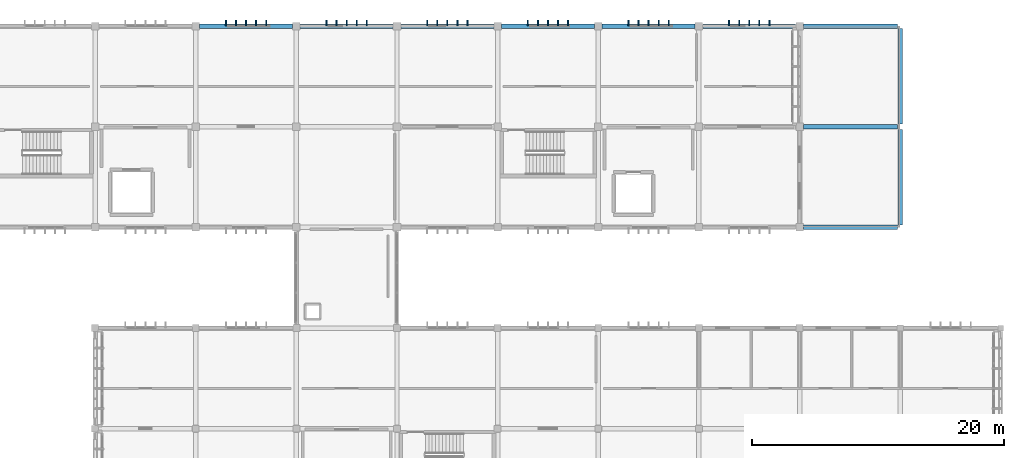
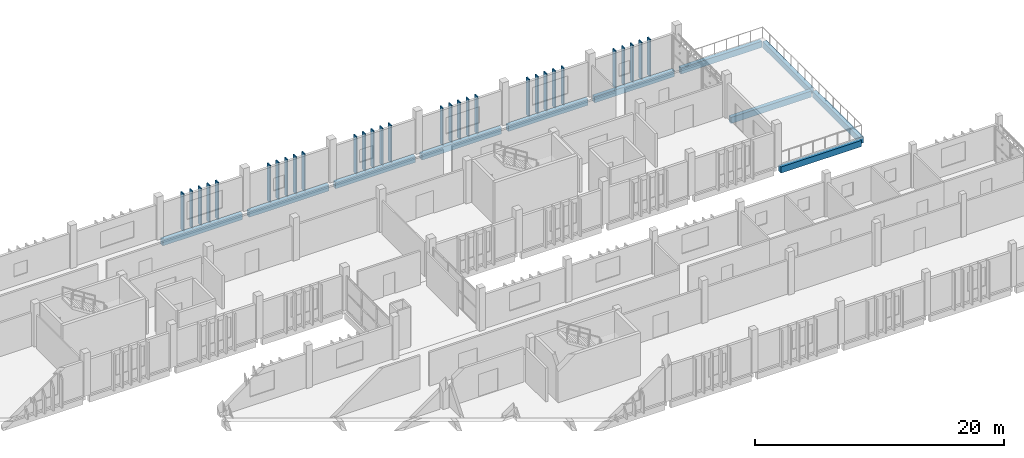
# One storey, part 26 of 48: 30 members, 11 beams.
"""IFC4 building model written with IfcOpenShell, lengths in metres."""

from ifc_helpers import new_model, si_unit, direction, frame, origin, origin_2d, place, context, subcontext, project, spatial, rectangle, extrude, material, material_profile, profile_set, type_object, element, save


model = new_model("IFC4")

# Units and contexts
model_context = context("Model", 3, precision=1e-05, world=origin(), true_north=direction((0.0, 1.0)))
body_context = subcontext(model_context, "Body", "Model", "MODEL_VIEW")
ifc_project = project(units=[si_unit("LENGTHUNIT", "METRE"), si_unit("AREAUNIT", "SQUARE_METRE"), si_unit("VOLUMEUNIT", "CUBIC_METRE"), si_unit("PLANEANGLEUNIT", "RADIAN"), si_unit("MASSUNIT", "GRAM", prefix="KILO")], contexts=[model_context])

# Site, building, storey
site_placement = place(None, origin())
site = spatial("IfcSite", under=ifc_project, at=site_placement, CompositionType="ELEMENT")
building_placement = place(site_placement, origin())
building = spatial("IfcBuilding", under=site, at=building_placement, Name="Jelvoka-Kovrelna Polytechnic", CompositionType="ELEMENT")
storey_placement = place(building_placement, frame((0.0, 0.0, 22.199951171875)))
storey = spatial("IfcBuildingStorey", under=building, at=storey_placement, Name="L06", CompositionType="ELEMENT", Elevation=22.199951171875)

# Beams
ifc_material_1 = material(Name="Concrete C35/45", Category="concrete")
ifc_material_profile_1 = material_profile(ifc_material_1, rectangle(XDim=0.35009765625, YDim=0.60009765625, at=origin_2d()), Name="RC 350x600")
ifc_profile_set_1 = profile_set([ifc_material_profile_1], Name="Concrete C35/45")
beam_type_1 = type_object("IfcBeamType", Name="Beam_RC_350x600", PredefinedType="BEAM", material=ifc_profile_set_1)
beam_placement = place(storey_placement, frame((184.304931640625, 64.0, -0.52001953125), z_axis=(1.0, 0.0, 0.0), x_axis=(0.0, 1.0, 0.0)))
element("IfcBeam", 1, at=beam_placement, inside=storey, type_object=beam_type_1, Name="L06 beam 1787", PredefinedType="BEAM", context=body_context, shape_type="SweptSolid", body=[
    extrude(rectangle(XDim=0.35009765625, YDim=0.60009765625, at=origin_2d()), origin(), (0.0, 0.0, 1.0), 7.465087890625),
])
for number, where, z_axis, x_axis, name in (
    (2, (192.0, 56.205078125, -0.52001953125), (0.0, 1.0, 0.0), (-1.0, 0.0, 0.0), "L06 beam 1789"),
    (3, (192.0, 64.22998046875, -0.52001953125), (0.0, 1.0, 0.0), (-1.0, 0.0, 0.0), "L06 beam 1790"),
):
    element("IfcBeam", number, at=place(storey_placement, frame(where, z_axis=z_axis, x_axis=x_axis)), inside=storey, type_object=beam_type_1, Name=name, PredefinedType="BEAM", context=body_context, shape_type="SweptSolid", body=[
        extrude(rectangle(XDim=0.35009765625, YDim=0.60009765625, at=origin_2d()), origin(), (0.0, 0.0, 1.0), 7.56494140625),
    ])

# Members
ifc_material_2 = material(Name="Precast concrete C40/50", Category="concrete")
ifc_material_profile_2 = material_profile(ifc_material_2, rectangle(XDim=0.10009765625, YDim=0.449951171875, at=origin_2d()), Name="PC 100x450")
ifc_profile_set_2 = profile_set([ifc_material_profile_2], Name="Precast concrete C40/50")
member_type = type_object("IfcMemberType", Name="Louvre_Fin_100x450", PredefinedType="USERDEFINED", material=ifc_profile_set_2)
for number, where, z_axis, x_axis, name in (
    (4, (138.39990234375, 72.264892578125, -0.27001953125), (0.0, 0.0, 1.0), (1.0, 0.0, 0.0), "L06 B3 north vertical solar louvre fin 2031"),
    (5, (139.199951171875, 72.264892578125, -0.27001953125), (0.0, 0.0, 1.0), (1.0, 0.0, 0.0), "L06 B3 north vertical solar louvre fin 2032"),
    (6, (140.0, 72.264892578125, -0.27001953125), (0.0, 0.0, 1.0), (1.0, 0.0, 0.0), "L06 B3 north vertical solar louvre fin 2033"),
    (7, (140.800048828125, 72.264892578125, -0.27001953125), (0.0, 0.0, 1.0), (1.0, 0.0, 0.0), "L06 B3 north vertical solar louvre fin 2034"),
    (8, (141.60009765625, 72.264892578125, -0.27001953125), (0.0, 0.0, 1.0), (1.0, 0.0, 0.0), "L06 B3 north vertical solar louvre fin 2035"),
    (9, (146.39990234375, 72.264892578125, -0.27001953125), (0.0, 0.0, 1.0), (1.0, 0.0, 0.0), "L06 B3 north vertical solar louvre fin 2036"),
    (10, (147.199951171875, 72.264892578125, -0.27001953125), (0.0, 0.0, 1.0), (1.0, 0.0, 0.0), "L06 B3 north vertical solar louvre fin 2037"),
    (11, (148.0, 72.264892578125, -0.27001953125), (0.0, 0.0, 1.0), (1.0, 0.0, 0.0), "L06 B3 north vertical solar louvre fin 2038"),
    (12, (148.800048828125, 72.264892578125, -0.27001953125), (0.0, 0.0, 1.0), (1.0, 0.0, 0.0), "L06 B3 north vertical solar louvre fin 2039"),
    (13, (149.60009765625, 72.264892578125, -0.27001953125), (0.0, 0.0, 1.0), (1.0, 0.0, 0.0), "L06 B3 north vertical solar louvre fin 2040"),
    (14, (154.39990234375, 72.264892578125, -0.27001953125), (0.0, 0.0, 1.0), (1.0, 0.0, 0.0), "L06 B3 north vertical solar louvre fin 2046"),
    (15, (155.199951171875, 72.264892578125, -0.27001953125), (0.0, 0.0, 1.0), (1.0, 0.0, 0.0), "L06 B3 north vertical solar louvre fin 2047"),
    (16, (156.0, 72.264892578125, -0.27001953125), (0.0, 0.0, 1.0), (1.0, 0.0, 0.0), "L06 B3 north vertical solar louvre fin 2048"),
    (17, (156.800048828125, 72.264892578125, -0.27001953125), (0.0, 0.0, 1.0), (1.0, 0.0, 0.0), "L06 B3 north vertical solar louvre fin 2049"),
    (18, (157.60009765625, 72.264892578125, -0.27001953125), (0.0, 0.0, 1.0), (1.0, 0.0, 0.0), "L06 B3 north vertical solar louvre fin 2050"),
    (19, (162.39990234375, 72.264892578125, -0.27001953125), (0.0, 0.0, 1.0), (1.0, 0.0, 0.0), "L06 B3 north vertical solar louvre fin 2056"),
    (20, (163.199951171875, 72.264892578125, -0.27001953125), (0.0, 0.0, 1.0), (1.0, 0.0, 0.0), "L06 B3 north vertical solar louvre fin 2057"),
    (21, (164.0, 72.264892578125, -0.27001953125), (0.0, 0.0, 1.0), (1.0, 0.0, 0.0), "L06 B3 north vertical solar louvre fin 2058"),
    (22, (164.800048828125, 72.264892578125, -0.27001953125), (0.0, 0.0, 1.0), (1.0, 0.0, 0.0), "L06 B3 north vertical solar louvre fin 2059"),
    (23, (165.60009765625, 72.264892578125, -0.27001953125), (0.0, 0.0, 1.0), (1.0, 0.0, 0.0), "L06 B3 north vertical solar louvre fin 2060"),
    (24, (170.39990234375, 72.264892578125, -0.27001953125), (0.0, 0.0, 1.0), (1.0, 0.0, 0.0), "L06 B3 north vertical solar louvre fin 2066"),
    (25, (171.199951171875, 72.264892578125, -0.27001953125), (0.0, 0.0, 1.0), (1.0, 0.0, 0.0), "L06 B3 north vertical solar louvre fin 2067"),
    (26, (172.0, 72.264892578125, -0.27001953125), (0.0, 0.0, 1.0), (1.0, 0.0, 0.0), "L06 B3 north vertical solar louvre fin 2068"),
    (27, (172.800048828125, 72.264892578125, -0.27001953125), (0.0, 0.0, 1.0), (1.0, 0.0, 0.0), "L06 B3 north vertical solar louvre fin 2069"),
    (28, (173.60009765625, 72.264892578125, -0.27001953125), (0.0, 0.0, 1.0), (1.0, 0.0, 0.0), "L06 B3 north vertical solar louvre fin 2070"),
    (29, (178.39990234375, 72.264892578125, -0.27001953125), (0.0, 0.0, 1.0), (1.0, 0.0, 0.0), "L06 B3 north vertical solar louvre fin 2076"),
    (30, (179.199951171875, 72.264892578125, -0.27001953125), (0.0, 0.0, 1.0), (1.0, 0.0, 0.0), "L06 B3 north vertical solar louvre fin 2077"),
    (31, (180.0, 72.264892578125, -0.27001953125), (0.0, 0.0, 1.0), (1.0, 0.0, 0.0), "L06 B3 north vertical solar louvre fin 2078"),
    (32, (180.800048828125, 72.264892578125, -0.27001953125), (0.0, 0.0, 1.0), (1.0, 0.0, 0.0), "L06 B3 north vertical solar louvre fin 2079"),
    (33, (181.60009765625, 72.264892578125, -0.27001953125), (0.0, 0.0, 1.0), (1.0, 0.0, 0.0), "L06 B3 north vertical solar louvre fin 2080"),
):
    element("IfcMember", number, at=place(storey_placement, frame(where, z_axis=z_axis, x_axis=x_axis)), inside=storey, type_object=member_type, Name=name, ObjectType="SUNSHADE", PredefinedType="USERDEFINED", context=body_context, shape_type="SweptSolid", body=[
        extrude(rectangle(XDim=0.10009765625, YDim=0.449951171875, at=origin_2d()), origin(), (0.0, 0.0, 1.0), 3.655029296875),
    ])

# Beams
ifc_material_3 = material(Name="Concrete C40/50", Category="concrete")
ifc_material_profile_3 = material_profile(ifc_material_3, rectangle(XDim=0.35009765625, YDim=0.60009765625, at=origin_2d()), Name="RC 350x600")
ifc_profile_set_3 = profile_set([ifc_material_profile_3], Name="Concrete C40/50")
beam_type_2 = type_object("IfcBeamType", Name="Spandrel_RC_350x600", PredefinedType="SPANDREL", material=ifc_profile_set_3)
for number, where, z_axis, x_axis, name in (
    (34, (136.304931640625, 72.0, -0.5400390625), (1.0, 0.0, 0.0), (0.0, 1.0, 0.0), "L06 beam 1748"),
    (35, (144.304931640625, 72.0, -0.5400390625), (1.0, 0.0, 0.0), (0.0, 1.0, 0.0), "L06 beam 1749"),
    (36, (152.304931640625, 72.0, -0.5400390625), (1.0, 0.0, 0.0), (0.0, 1.0, 0.0), "L06 beam 1750"),
    (37, (160.304931640625, 72.0, -0.5400390625), (1.0, 0.0, 0.0), (0.0, 1.0, 0.0), "L06 beam 1751"),
    (38, (168.304931640625, 72.0, -0.5400390625), (1.0, 0.0, 0.0), (0.0, 1.0, 0.0), "L06 beam 1752"),
    (39, (176.304931640625, 72.0, -0.5400390625), (1.0, 0.0, 0.0), (0.0, 1.0, 0.0), "L06 beam 1753"),
):
    element("IfcBeam", number, at=place(storey_placement, frame(where, z_axis=z_axis, x_axis=x_axis)), inside=storey, type_object=beam_type_2, Name=name, PredefinedType="SPANDREL", context=body_context, shape_type="SweptSolid", body=[
        extrude(rectangle(XDim=0.35009765625, YDim=0.60009765625, at=origin_2d()), origin(), (0.0, 0.0, 1.0), 7.39013671875),
    ])
for number, where, z_axis, x_axis, name in (
    (40, (184.304931640625, 56.0, -0.52001953125), (1.0, 0.0, 0.0), (0.0, 1.0, 0.0), "L06 beam 1786"),
    (41, (184.304931640625, 72.0, -0.52001953125), (1.0, 0.0, 0.0), (0.0, 1.0, 0.0), "L06 beam 1788"),
):
    element("IfcBeam", number, at=place(storey_placement, frame(where, z_axis=z_axis, x_axis=x_axis)), inside=storey, type_object=beam_type_2, Name=name, PredefinedType="SPANDREL", context=body_context, shape_type="SweptSolid", body=[
        extrude(rectangle(XDim=0.35009765625, YDim=0.60009765625, at=origin_2d()), origin(), (0.0, 0.0, 1.0), 7.489990234375),
    ])

save(model, "model.ifc")
